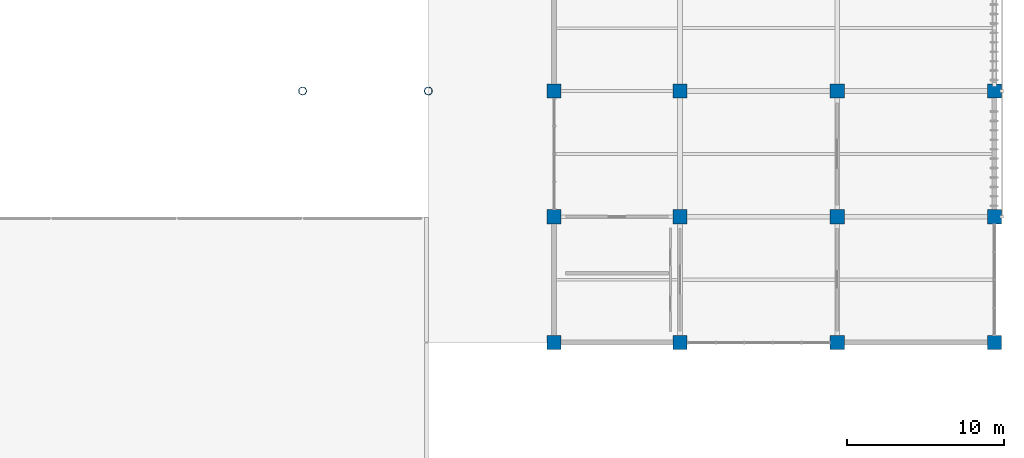
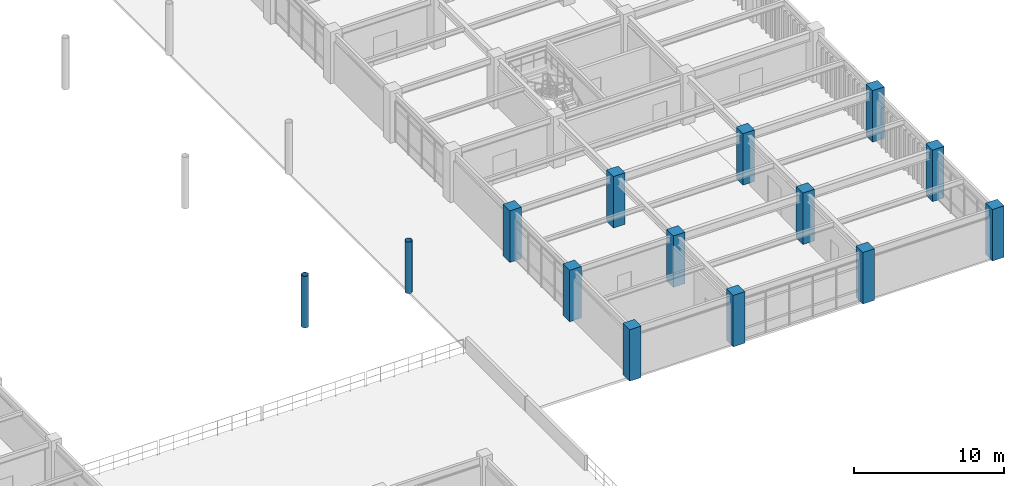
# One storey, part 8 of 118: 14 columns.
"""IFC4 building model written with IfcOpenShell, lengths in metres."""

import ifcopenshell
import ifcopenshell.guid

model = None  # the IFC model being written
_history = None  # IfcOwnerHistory: only IFC2X3 demands one
_inside = {}  # id of a spatial element -> (the spatial element, [elements in it])
_under = {}  # id of a project, library or spatial element -> (it, [spatial elements below it])
_declared = {}  # id of a project -> (the project, [libraries it declares])
_typed = {}  # id of a type object -> (the type object, [elements of that type])
_made_of = {}  # id of a material, layer set ... -> (it, [elements and type objects made of it])


def new_model(schema):
    """Start an empty IFC model of exactly this schema.

    Asked for "IFC4X3", IfcOpenShell would pick the latest addendum, in which some entities
    have other attributes; the version numbers below select the first issue.
    IFC2X3 requires an IfcOwnerHistory on every rooted entity: one is made here for all.
    """
    global model, _history
    if schema == "IFC4X3":
        model = ifcopenshell.file(schema_version=(4, 3, 0, 0))
    else:
        model = ifcopenshell.file(schema=schema)
    _inside.clear()
    _under.clear()
    _declared.clear()
    _typed.clear()
    _made_of.clear()
    _history = None
    if model.schema == "IFC2X3":
        org = make("IfcOrganization", Name="unknown")
        user = make(
            "IfcPersonAndOrganization",
            ThePerson=make("IfcPerson", FamilyName="unknown"),
            TheOrganization=org,
        )
        app = make(
            "IfcApplication",
            ApplicationDeveloper=org,
            Version="unknown",
            ApplicationFullName="unknown",
            ApplicationIdentifier="unknown",
        )
        _history = make(
            "IfcOwnerHistory",
            OwningUser=user,
            OwningApplication=app,
            ChangeAction="ADDED",
            CreationDate=0,
        )
    return model


def make(cls, **values):
    """One entity of the class cls with the attributes given. An attribute that is None is left unset."""
    return model.create_entity(
        cls, **{name: value for name, value in values.items() if value is not None}
    )


def rooted(cls, **values):
    """An entity with a GlobalId (a new one), such as an element, a storey or a relation."""
    return make(cls, GlobalId=ifcopenshell.guid.new(), OwnerHistory=_history, **values)


def si_unit(unit_type, name, prefix=None):
    """IfcSIUnit, for example si_unit("LENGTHUNIT", "METRE", prefix="MILLI")."""
    return make("IfcSIUnit", UnitType=unit_type, Prefix=prefix, Name=name)


def assignment(units):
    """IfcUnitAssignment: the units of a project."""
    return None if units is None else make("IfcUnitAssignment", Units=units)


def point(xyz):
    """IfcCartesianPoint."""
    return None if xyz is None else make("IfcCartesianPoint", Coordinates=xyz)


def direction(xyz):
    """IfcDirection."""
    return None if xyz is None else make("IfcDirection", DirectionRatios=xyz)


def frame(location, z_axis=None, x_axis=None):
    """IfcAxis2Placement3D, a coordinate frame: its origin and axes. An axis left out is left unset."""
    return make(
        "IfcAxis2Placement3D",
        Location=point(location),
        Axis=direction(z_axis),
        RefDirection=direction(x_axis),
    )


def frame_2d(location, x_axis=None):
    """IfcAxis2Placement2D, a coordinate frame in the plane: its origin and x axis."""
    return make(
        "IfcAxis2Placement2D", Location=point(location), RefDirection=direction(x_axis)
    )


def origin():
    """The frame at (0, 0, 0) with its axes left unset."""
    return frame((0.0, 0.0, 0.0))


def origin_2d():
    """The frame at (0, 0) in the plane with its x axis left unset."""
    return frame_2d((0.0, 0.0))


def place(relative_to, where):
    """IfcLocalPlacement: puts the frame where relative to a parent placement (None: the world)."""
    return make(
        "IfcLocalPlacement", PlacementRelTo=relative_to, RelativePlacement=where
    )


def context(
    kind, dimensions, precision=None, world=None, true_north=None, identifier=None
):
    """IfcGeometricRepresentationContext, for example the 3D "Model" context."""
    return make(
        "IfcGeometricRepresentationContext",
        ContextIdentifier=identifier,
        ContextType=kind,
        CoordinateSpaceDimension=dimensions,
        Precision=precision,
        WorldCoordinateSystem=world,
        TrueNorth=true_north,
    )


def subcontext(parent, identifier, kind, view, scale=None):
    """IfcGeometricRepresentationSubContext, for example "Body" below "Model"."""
    return make(
        "IfcGeometricRepresentationSubContext",
        ContextIdentifier=identifier,
        ContextType=kind,
        ParentContext=parent,
        TargetScale=scale,
        TargetView=view,
    )


def project(units=None, contexts=None):
    """IfcProject with its units and contexts."""
    return rooted(
        "IfcProject",
        Name="project",
        RepresentationContexts=contexts,
        UnitsInContext=assignment(units),
    )


def spatial(cls, under=None, at=None, **own):
    """A site, building, storey or space (cls), placed at a placement, below another one or the project."""
    s = rooted(cls, ObjectPlacement=at, **own)
    if under is not None:
        _under.setdefault(under.id(), (under, []))[1].append(s)
    return s


def profile(cls, at=None, kind="AREA", **sizes):
    """A parametric profile (cls). Its sizes go by their IFC names, for example OverallWidth=200.0."""
    return make(cls, ProfileType=kind, Position=at, **sizes)


def rectangle(**sizes):
    """IfcRectangleProfileDef."""
    return profile("IfcRectangleProfileDef", **sizes)


def hollow_circle(**sizes):
    """IfcCircleHollowProfileDef."""
    return profile("IfcCircleHollowProfileDef", **sizes)


def extrude(swept, where, along, depth):
    """IfcExtrudedAreaSolid: the profile swept, set in the frame where, extruded along a direction by depth."""
    return make(
        "IfcExtrudedAreaSolid",
        SweptArea=swept,
        Position=where,
        ExtrudedDirection=direction(along),
        Depth=depth,
    )


def shape(context_of_items, identifier, shape_type, items):
    """IfcShapeRepresentation: the items that make up one representation, for example the "Body"."""
    return make(
        "IfcShapeRepresentation",
        ContextOfItems=context_of_items,
        RepresentationIdentifier=identifier,
        RepresentationType=shape_type,
        Items=items,
    )


def material(Name=None, Category=None):
    """IfcMaterial."""
    return make("IfcMaterial", Name=Name, Category=Category)


def material_profile(
    of_material, cross_section, Name=None, Category=None, Priority=None
):
    """IfcMaterialProfile: a cross section and its material."""
    return make(
        "IfcMaterialProfile",
        Name=Name,
        Material=of_material,
        Profile=cross_section,
        Priority=Priority,
        Category=Category,
    )


def profile_set(profiles, Name=None, composite=None):
    """IfcMaterialProfileSet."""
    return make(
        "IfcMaterialProfileSet",
        Name=Name,
        MaterialProfiles=profiles,
        CompositeProfile=composite,
    )


def made_of(thing, what):
    """Note that an element or type object is made of a material, layer set ...; save() writes the relation."""
    if what is not None:
        _made_of.setdefault(what.id(), (what, []))[1].append(thing)
    return thing


def type_object(cls, material=None, **own):
    """A type object (cls), such as IfcWallType, which elements share."""
    return made_of(rooted(cls, **own), material)


def element(
    cls,
    number,
    at=None,
    inside=None,
    cuts=None,
    type_object=None,
    material=None,
    context=None,
    identifier="Body",
    shape_type=None,
    held_by="IfcProductDefinitionShape",
    body=None,
    shapes=None,
    **own,
):
    """One element of the class cls, such as IfcWall. Its Tag is "e" and its number.

    at: its placement. inside: the storey or other place that contains it. cuts: it is an
    opening in that element (IfcRelVoidsElement). A single representation is given by context,
    identifier, shape_type and body (its items); several are given by shapes. held_by: the class
    of the entity that holds the representations. save() writes the other relations.
    """
    e = rooted(cls, Tag="e%d" % number, ObjectPlacement=at, **own)
    if body is not None:
        shapes = [shape(context, identifier, shape_type, body)]
    if shapes is not None:
        e.Representation = make(held_by, Representations=shapes)
    if inside is not None:
        _inside.setdefault(inside.id(), (inside, []))[1].append(e)
    if cuts is not None:
        rooted(
            "IfcRelVoidsElement", RelatingBuildingElement=cuts, RelatedOpeningElement=e
        )
    if type_object is not None:
        _typed.setdefault(type_object.id(), (type_object, []))[1].append(e)
    return made_of(e, material)


def aggregate(whole, parts):
    """IfcRelAggregates: a whole, such as a stair, and the parts it consists of."""
    return rooted("IfcRelAggregates", RelatingObject=whole, RelatedObjects=parts)


def save(model, path):
    """Write the relations noted so far, then the file.

    IfcRelAggregates (storeys below a building ...), IfcRelContainedInSpatialStructure (elements
    in a storey), IfcRelDefinesByType, IfcRelAssociatesMaterial and IfcRelDeclares: one each for
    every whole, place, type object, material and project.
    """
    for whole, parts in _under.values():
        aggregate(whole, parts)
    for where, things in _inside.values():
        rooted(
            "IfcRelContainedInSpatialStructure",
            RelatedElements=things,
            RelatingStructure=where,
        )
    for kind, things in _typed.values():
        rooted("IfcRelDefinesByType", RelatedObjects=things, RelatingType=kind)
    for what, things in _made_of.values():
        rooted("IfcRelAssociatesMaterial", RelatedObjects=things, RelatingMaterial=what)
    for by, libraries in _declared.values():
        rooted("IfcRelDeclares", RelatingContext=by, RelatedDefinitions=libraries)
    model.write(path)


model = new_model("IFC4")

# Units and contexts
model_context = context("Model", 3, precision=1e-05, world=origin(), true_north=direction((0.0, 1.0)))
body_context = subcontext(model_context, "Body", "Model", "MODEL_VIEW")
ifc_project = project(units=[si_unit("LENGTHUNIT", "METRE"), si_unit("AREAUNIT", "SQUARE_METRE"), si_unit("VOLUMEUNIT", "CUBIC_METRE"), si_unit("PLANEANGLEUNIT", "RADIAN"), si_unit("MASSUNIT", "GRAM", prefix="KILO")], contexts=[model_context])

# Site, building, storey
site_placement = place(None, origin())
site = spatial("IfcSite", under=ifc_project, at=site_placement, CompositionType="ELEMENT")
building_placement = place(site_placement, origin())
building = spatial("IfcBuilding", under=site, at=building_placement, Name="Haebicheon Civic Stadium", CompositionType="ELEMENT")
storey_placement = place(building_placement, frame((0.0, 0.0, 14.39990234375)))
storey = spatial("IfcBuildingStorey", under=building, at=storey_placement, Name="L04", CompositionType="ELEMENT", Elevation=14.39990234375)

# Columns
ifc_material_1 = material(Name="Concrete C40/50", Category="concrete")
ifc_material_profile_1 = material_profile(ifc_material_1, rectangle(XDim=0.89990234375, YDim=0.89990234375, at=origin_2d()), Name="RC-COL-900x900")
ifc_profile_set_1 = profile_set([ifc_material_profile_1], Name="Concrete C40/50")
column_type_1 = type_object("IfcColumnType", Name="COL-RC-900", PredefinedType="COLUMN", material=ifc_profile_set_1)
for number, where, z_axis, x_axis, name in (
    (1, (208.0, 40.0, 0.0), (0.0, 0.0, 1.0), (1.0, 0.0, 0.0), "L04 column 27/F"),
    (2, (208.0, 48.0, 0.0), (0.0, 0.0, 1.0), (1.0, 0.0, 0.0), "L04 column 27/G"),
    (3, (208.0, 56.0, 0.0), (0.0, 0.0, 1.0), (1.0, 0.0, 0.0), "L04 column 27/H"),
    (4, (216.0, 40.0, 0.0), (0.0, 0.0, 1.0), (1.0, 0.0, 0.0), "L04 column 28/F"),
    (5, (216.0, 48.0, 0.0), (0.0, 0.0, 1.0), (1.0, 0.0, 0.0), "L04 column 28/G"),
    (6, (216.0, 56.0, 0.0), (0.0, 0.0, 1.0), (1.0, 0.0, 0.0), "L04 column 28/H"),
    (7, (226.0, 40.0, 0.0), (0.0, 0.0, 1.0), (1.0, 0.0, 0.0), "L04 column 29/F"),
    (8, (226.0, 48.0, 0.0), (0.0, 0.0, 1.0), (1.0, 0.0, 0.0), "L04 column 29/G"),
    (9, (226.0, 56.0, 0.0), (0.0, 0.0, 1.0), (1.0, 0.0, 0.0), "L04 column 29/H"),
    (10, (236.0, 40.0, 0.0), (0.0, 0.0, 1.0), (1.0, 0.0, 0.0), "L04 column 30/F"),
    (11, (236.0, 48.0, 0.0), (0.0, 0.0, 1.0), (1.0, 0.0, 0.0), "L04 column 30/G"),
    (12, (236.0, 56.0, 0.0), (0.0, 0.0, 1.0), (1.0, 0.0, 0.0), "L04 column 30/H"),
):
    element("IfcColumn", number, at=place(storey_placement, frame(where, z_axis=z_axis, x_axis=x_axis)), inside=storey, type_object=column_type_1, material=ifc_profile_set_1, Name=name, PredefinedType="COLUMN", context=body_context, shape_type="SweptSolid", body=[
        extrude(rectangle(XDim=0.89990234375, YDim=0.89990234375, at=origin_2d()), origin(), (0.0, 0.0, 1.0), 4.2001953125),
    ])
ifc_material_2 = material(Name="White painted steel SM490", Category="steel")
ifc_material_profile_2 = material_profile(ifc_material_2, hollow_circle(Radius=0.25390625, WallThickness=0.02490234375, at=origin_2d()), Name="CHS-508.0x25.0")
ifc_profile_set_2 = profile_set([ifc_material_profile_2], Name="White painted steel SM490")
column_type_2 = type_object("IfcColumnType", Name="COL-ST-CHS508", PredefinedType="COLUMN", material=ifc_profile_set_2)
for number, where, z_axis, x_axis, name in (
    (13, (200.0, 56.0, 0.0), (0.0, 0.0, 1.0), (1.0, 0.0, 0.0), "Bowl/canopy support column 200/56 (L04)"),
    (14, (192.0, 56.0, 0.0), (0.0, 0.0, 1.0), (1.0, 0.0, 0.0), "Bowl/canopy support column 192/56 (L04)"),
):
    element("IfcColumn", number, at=place(storey_placement, frame(where, z_axis=z_axis, x_axis=x_axis)), inside=storey, type_object=column_type_2, material=ifc_profile_set_2, Name=name, PredefinedType="COLUMN", context=body_context, shape_type="SweptSolid", body=[
        extrude(hollow_circle(Radius=0.25390625, WallThickness=0.02490234375, at=origin_2d()), origin(), (0.0, 0.0, 1.0), 4.2001953125),
    ])

save(model, "model.ifc")
